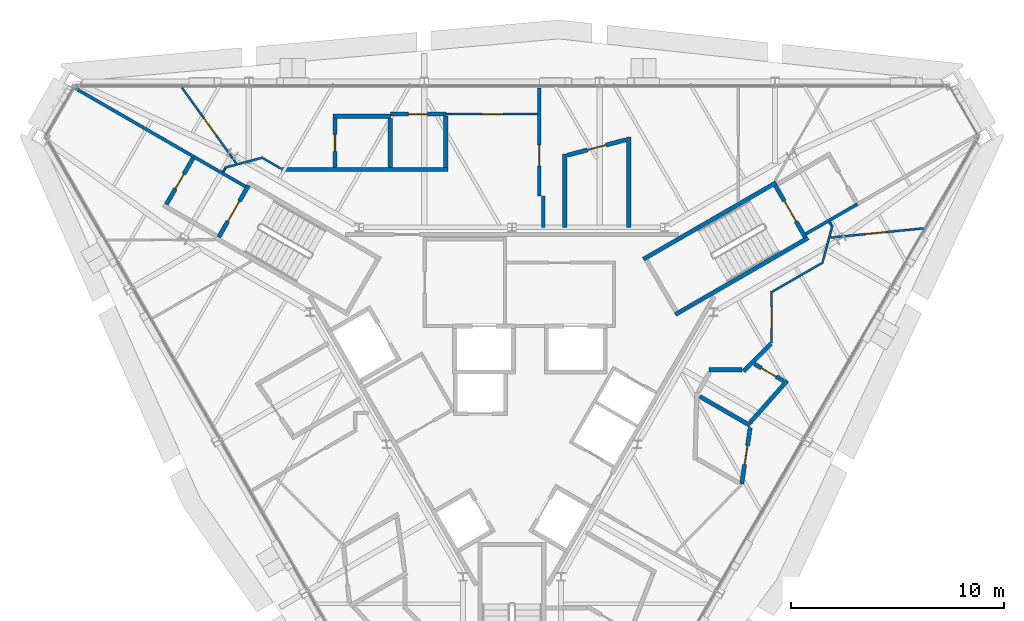
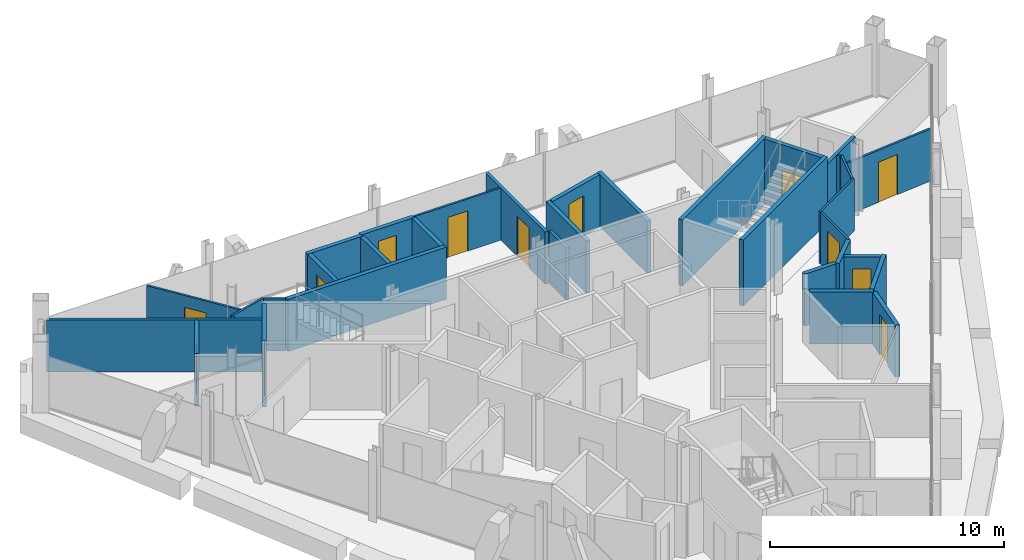
# One storey, part 10 of 13: 35 walls, 13 doors, 13 openings.
"""IFC4 building model written with IfcOpenShell, lengths in metres."""

from ifc_helpers import new_model, si_unit, direction, frame, frame_2d, origin, place, context, subcontext, project, spatial, rectangle, extrude, material, layer, layer_set, type_object, element, fill, save


model = new_model("IFC4")

# Units and contexts
model_context = context("Model", 3, precision=1e-05, world=origin(), true_north=direction((0.0, 1.0)))
body_context = subcontext(model_context, "Body", "Model", "MODEL_VIEW")
ifc_project = project(units=[si_unit("LENGTHUNIT", "METRE"), si_unit("AREAUNIT", "SQUARE_METRE"), si_unit("VOLUMEUNIT", "CUBIC_METRE"), si_unit("PLANEANGLEUNIT", "RADIAN"), si_unit("MASSUNIT", "GRAM", prefix="KILO")], contexts=[model_context])

# Site, building, storey
site_placement = place(None, origin())
site = spatial("IfcSite", under=ifc_project, at=site_placement, CompositionType="ELEMENT")
building_placement = place(site_placement, origin())
building = spatial("IfcBuilding", under=site, at=building_placement, Name="Verrane Prism Tower", CompositionType="ELEMENT")
storey_placement = place(building_placement, frame((0.0, 0.0, 278.800048828125)))
storey = spatial("IfcBuildingStorey", under=building, at=storey_placement, Name="L70", CompositionType="ELEMENT", Elevation=278.800048828125)

# Wall, opening, door
ifc_material_1 = material(Name="Concrete C40/50", Category="concrete")
ifc_layer_1 = layer(ifc_material_1, 0.199951171875)
ifc_layer_set_1 = layer_set([ifc_layer_1], Name="CW-200 stair core wall concrete C40/50 3 h")
wall_type_1 = type_object("IfcWallType", Name="CW-200 stair core wall concrete C40/50 3 h", PredefinedType="PARTITIONING", material=ifc_layer_set_1)
wall_1_placement = place(storey_placement, frame((13.777099609375, 6.337646484375, 0.0), z_axis=(0.0, 0.0, 1.0), x_axis=(-0.500049511043, 0.865996816683, 0.0)))
wall_1 = element("IfcWall", 1, at=wall_1_placement, inside=storey, type_object=wall_type_1, Name="Stair 1 enclosure wall", PredefinedType="PARTITIONING", context=body_context, shape_type="SweptSolid", body=[
    extrude(rectangle(XDim=2.800048828125, YDim=0.199951171875, at=frame_2d((1.39990234375, 0.0))), origin(), (0.0, 0.0, 1.0), 3.449951171875),
])
opening_1_placement = place(wall_1_placement, frame((0.849853515625, 0.0, 0.0)))
opening_1 = element("IfcOpeningElement", 2, at=opening_1_placement, cuts=wall_1, Name="Opening D69500", PredefinedType="OPENING", context=body_context, shape_type="SweptSolid", body=[
    extrude(rectangle(XDim=1.10009765625, YDim=2.10009765625, at=frame_2d((0.550048828125, 1.050048828125))), frame((0.0, 0.10986328125, 0.0), z_axis=(0.0, -1.0, 0.0), x_axis=(1.0, 0.0, 0.0)), (0.0, 0.0, 1.0), 0.219970703125),
])
ifc_material_2 = material(Name="Timber veneered door leaf", Category="wood")
door_type_1 = type_object("IfcDoorType", Name="DR-1100x2100 FD90 single leaf stair", OperationType="NOTDEFINED", PredefinedType="DOOR", material=ifc_material_2)
door_1_placement = place(opening_1_placement, origin())
door_1 = element("IfcDoor", 3, at=door_1_placement, inside=storey, type_object=door_type_1, Name="Stair 1 door", OperationType="SINGLE_SWING_LEFT", OverallHeight=2.10009765625, OverallWidth=1.10009765625, PredefinedType="DOOR", context=body_context, shape_type="SweptSolid", body=[
    extrude(rectangle(XDim=1.10009765625, YDim=2.10009765625, at=frame_2d((0.550048828125, 1.050048828125))), frame((0.0, 0.02490234375, 0.0), z_axis=(0.0, -1.0, 0.0), x_axis=(1.0, 0.0, 0.0)), (0.0, 0.0, 1.0), 0.050048828125),
])
fill(opening_1, door_1)

# Walls
for number, where, z_axis, x_axis, name in (
    (4, (6.17822265625, 5.299072265625, 0.0), (0.0, 0.0, 1.0), (0.866033125095, 0.499986626058, 0.0), "Stair 1 enclosure wall"),
    (5, (7.67822265625, 2.700927734375, 0.0), (0.0, 0.0, 1.0), (0.866018442252, 0.500012057535, 0.0), "Stair 1 enclosure wall"),
):
    element("IfcWall", number, at=place(storey_placement, frame(where, z_axis=z_axis, x_axis=x_axis)), inside=storey, type_object=wall_type_1, Name=name, PredefinedType="PARTITIONING", context=body_context, shape_type="SweptSolid", body=[
        extrude(rectangle(XDim=7.199951171875, YDim=0.199951171875, at=frame_2d((3.60009765625, 0.0))), origin(), (0.0, 0.0, 1.0), 3.449951171875),
    ])

# Wall, opening, door
wall_2_placement = place(storey_placement, frame((-12.376953125, 8.762451171875, 0.0), z_axis=(0.0, 0.0, 1.0), x_axis=(-0.500049511043, -0.865996816683, 0.0)))
wall_2 = element("IfcWall", 6, at=wall_2_placement, inside=storey, type_object=wall_type_1, Name="Stair 2 enclosure wall", PredefinedType="PARTITIONING", context=body_context, shape_type="SweptSolid", body=[
    extrude(rectangle(XDim=2.800048828125, YDim=0.199951171875, at=frame_2d((1.39990234375, 0.0))), origin(), (0.0, 0.0, 1.0), 3.449951171875),
])
opening_2_placement = place(wall_2_placement, frame((0.849853515625, 0.0, 0.0)))
opening_2 = element("IfcOpeningElement", 7, at=opening_2_placement, cuts=wall_2, Name="Opening D69501", PredefinedType="OPENING", context=body_context, shape_type="SweptSolid", body=[
    extrude(rectangle(XDim=1.10009765625, YDim=2.10009765625, at=frame_2d((0.550048828125, 1.050048828125))), frame((0.0, 0.10986328125, 0.0), z_axis=(0.0, -1.0, 0.0), x_axis=(1.0, 0.0, 0.0)), (0.0, 0.0, 1.0), 0.219970703125),
])
door_2_placement = place(opening_2_placement, origin())
door_2 = element("IfcDoor", 8, at=door_2_placement, inside=storey, type_object=door_type_1, Name="Stair 2 door", OperationType="SINGLE_SWING_RIGHT", OverallHeight=2.10009765625, OverallWidth=1.10009765625, PredefinedType="DOOR", context=body_context, shape_type="SweptSolid", body=[
    extrude(rectangle(XDim=1.10009765625, YDim=2.10009765625, at=frame_2d((0.550048828125, 1.050048828125))), frame((0.0, 0.02490234375, 0.0), z_axis=(0.0, -1.0, 0.0), x_axis=(1.0, 0.0, 0.0)), (0.0, 0.0, 1.0), 0.050048828125),
])
fill(opening_2, door_2)

ifc_material_3 = material(Name="Gypsum board partition", Category="other")
ifc_layer_2 = layer(ifc_material_3, 0.10009765625)
ifc_layer_set_2 = layer_set([ifc_layer_2], Name="PW-100 room partition")
wall_type_2 = type_object("IfcWallType", Name="PW-100 room partition", PredefinedType="PARTITIONING", material=ifc_layer_set_2)
wall_3_placement = place(storey_placement, frame((-12.957275390625, 9.811767578125, 0.0), z_axis=(0.0, 0.0, 1.0), x_axis=(-0.58313691272, 0.812373892381, 0.0)))
wall_3 = element("IfcWall", 9, at=wall_3_placement, inside=storey, type_object=wall_type_2, Name="Room partition 006", PredefinedType="PARTITIONING", context=body_context, shape_type="SweptSolid", body=[
    extrude(rectangle(XDim=4.375, YDim=0.10009765625, at=frame_2d((2.1875, 0.0))), origin(), (0.0, 0.0, 1.0), 2.722900390625),
])
opening_3_placement = place(wall_3_placement, frame((1.59033203125, 0.0, 0.0)))
opening_3 = element("IfcOpeningElement", 10, at=opening_3_placement, cuts=wall_3, Name="Opening D69017", PredefinedType="OPENING", context=body_context, shape_type="SweptSolid", body=[
    extrude(rectangle(XDim=1.0, YDim=2.10009765625, at=frame_2d((0.5, 1.050048828125))), frame((0.0, 0.06005859375, 0.0), z_axis=(0.0, -1.0, 0.0), x_axis=(1.0, 0.0, 0.0)), (0.0, 0.0, 1.0), 0.1201171875),
])
ifc_material_4 = material(Name="Timber veneered door leaf", Category="wood")
door_type_2 = type_object("IfcDoorType", Name="DR-1000x2100 single leaf inner", OperationType="NOTDEFINED", PredefinedType="DOOR", material=ifc_material_4)
door_3_placement = place(opening_3_placement, origin())
door_3 = element("IfcDoor", 11, at=door_3_placement, inside=storey, type_object=door_type_2, Name="Living And Dining Room door", OperationType="SINGLE_SWING_RIGHT", OverallHeight=2.10009765625, OverallWidth=1.0, PredefinedType="DOOR", context=body_context, shape_type="SweptSolid", body=[
    extrude(rectangle(XDim=1.0, YDim=2.10009765625, at=frame_2d((0.5, 1.050048828125))), frame((0.0, 0.02490234375, 0.0), z_axis=(0.0, -1.0, 0.0), x_axis=(1.0, 0.0, 0.0)), (0.0, 0.0, 1.0), 0.050048828125),
])
fill(opening_3, door_3)

# Walls
wall_4_placement = place(storey_placement, frame((-13.5654296875, 9.404052734375, 0.0), z_axis=(0.0, 0.0, 1.0), x_axis=(0.500181256421, 0.865920730047, 0.0)))
element("IfcWall", 12, at=wall_4_placement, inside=storey, type_object=wall_type_2, Name="Room partition 008", PredefinedType="PARTITIONING", context=body_context, shape_type="SweptSolid", body=[
    extrude(rectangle(XDim=0.1689453125, YDim=0.10009765625, at=frame_2d((0.08447265625, 0.0))), origin(), (0.0, 0.0, 1.0), 2.722900390625),
])
wall_5_placement = place(storey_placement, frame((-13.494384765625, 9.59814453125, 0.0), z_axis=(0.0, 0.0, 1.0), x_axis=(0.96601104623, 0.258500790254, 0.0)))
element("IfcWall", 13, at=wall_5_placement, inside=storey, type_object=wall_type_2, Name="Room partition 009", PredefinedType="PARTITIONING", context=body_context, shape_type="SweptSolid", body=[
    extrude(rectangle(XDim=1.8671875, YDim=0.10009765625, at=frame_2d((0.93359375, 0.0))), origin(), (0.0, 0.0, 1.0), 2.722900390625),
])
wall_6_placement = place(storey_placement, frame((-11.678466796875, 10.032958984375, 0.0), z_axis=(0.0, 0.0, 1.0), x_axis=(0.866116627388, -0.499841962787, 0.0)))
element("IfcWall", 14, at=wall_6_placement, inside=storey, type_object=wall_type_2, Name="Room partition 013", PredefinedType="PARTITIONING", context=body_context, shape_type="SweptSolid", body=[
    extrude(rectangle(XDim=0.943115234375, YDim=0.10009765625, at=frame_2d((0.4716796875, 0.0))), origin(), (0.0, 0.0, 1.0), 2.722900390625),
])

# Wall, opening, door
wall_7_placement = place(storey_placement, frame((-3.10888671875, 12.118896484375, 0.0), z_axis=(0.0, 0.0, 1.0), x_axis=(1.0, 0.0, 0.0)))
wall_7 = element("IfcWall", 15, at=wall_7_placement, inside=storey, type_object=wall_type_2, Name="Room partition 034", PredefinedType="PARTITIONING", context=body_context, shape_type="SweptSolid", body=[
    extrude(rectangle(XDim=4.31982421875, YDim=0.10009765625, at=frame_2d((2.159912109375, 0.0))), origin(), (0.0, 0.0, 1.0), 2.722900390625),
])
opening_4_placement = place(wall_7_placement, frame((1.699951171875, 0.0, 0.0)))
opening_4 = element("IfcOpeningElement", 16, at=opening_4_placement, cuts=wall_7, Name="Opening D69015", PredefinedType="OPENING", context=body_context, shape_type="SweptSolid", body=[
    extrude(rectangle(XDim=1.0, YDim=2.10009765625, at=frame_2d((0.5, 1.050048828125))), frame((0.0, 0.06005859375, 0.0), z_axis=(0.0, -1.0, 0.0), x_axis=(1.0, 0.0, 0.0)), (0.0, 0.0, 1.0), 0.1201171875),
])
door_4_placement = place(opening_4_placement, origin())
door_4 = element("IfcDoor", 17, at=door_4_placement, inside=storey, type_object=door_type_2, Name="Entrance Foyer door", OperationType="SINGLE_SWING_LEFT", OverallHeight=2.10009765625, OverallWidth=1.0, PredefinedType="DOOR", context=body_context, shape_type="SweptSolid", body=[
    extrude(rectangle(XDim=1.0, YDim=2.10009765625, at=frame_2d((0.5, 1.050048828125))), frame((0.0, 0.02490234375, 0.0), z_axis=(0.0, -1.0, 0.0), x_axis=(1.0, 0.0, 0.0)), (0.0, 0.0, 1.0), 0.050048828125),
])
fill(opening_4, door_4)

wall_8_placement = place(storey_placement, frame((12.198974609375, 3.681884765625, 0.0), z_axis=(0.0, 0.0, 1.0), x_axis=(0.0, -1.0, 0.0)))
wall_8 = element("IfcWall", 18, at=wall_8_placement, inside=storey, type_object=wall_type_2, Name="Room partition 066", PredefinedType="PARTITIONING", context=body_context, shape_type="SweptSolid", body=[
    extrude(rectangle(XDim=2.330810546875, YDim=0.10009765625, at=frame_2d((1.16552734375, 0.0))), origin(), (0.0, 0.0, 1.0), 2.722900390625),
])
opening_5_placement = place(wall_8_placement, frame((0.631103515625, 0.0, 0.0)))
opening_5 = element("IfcOpeningElement", 19, at=opening_5_placement, cuts=wall_8, Name="Opening D69006", PredefinedType="OPENING", context=body_context, shape_type="SweptSolid", body=[
    extrude(rectangle(XDim=1.0, YDim=2.10009765625, at=frame_2d((0.5, 1.050048828125))), frame((0.0, 0.06005859375, 0.0), z_axis=(0.0, -1.0, 0.0), x_axis=(1.0, 0.0, 0.0)), (0.0, 0.0, 1.0), 0.1201171875),
])
door_5_placement = place(opening_5_placement, origin())
door_5 = element("IfcDoor", 20, at=door_5_placement, inside=storey, type_object=door_type_2, Name="Entrance Foyer door", OperationType="SINGLE_SWING_LEFT", OverallHeight=2.10009765625, OverallWidth=1.0, PredefinedType="DOOR", context=body_context, shape_type="SweptSolid", body=[
    extrude(rectangle(XDim=1.0, YDim=2.10009765625, at=frame_2d((0.5, 1.050048828125))), frame((0.0, 0.02490234375, 0.0), z_axis=(0.0, -1.0, 0.0), x_axis=(1.0, 0.0, 0.0)), (0.0, 0.0, 1.0), 0.050048828125),
])
fill(opening_5, door_5)

# Walls
wall_9_placement = place(storey_placement, frame((12.15576171875, 3.72705078125, 0.0), z_axis=(0.0, 0.0, 1.0), x_axis=(0.866012137121, 0.500022977831, 0.0)))
element("IfcWall", 21, at=wall_9_placement, inside=storey, type_object=wall_type_2, Name="Room partition 067", PredefinedType="PARTITIONING", context=body_context, shape_type="SweptSolid", body=[
    extrude(rectangle(XDim=2.859619140625, YDim=0.10009765625, at=frame_2d((1.4296875, 0.0))), origin(), (0.0, 0.0, 1.0), 2.722900390625),
])
wall_10_placement = place(storey_placement, frame((14.607177734375, 5.19970703125, 0.0), z_axis=(0.0, 0.0, 1.0), x_axis=(0.258549793661, 0.965997931777, 0.0)))
element("IfcWall", 22, at=wall_10_placement, inside=storey, type_object=wall_type_2, Name="Room partition 071", PredefinedType="PARTITIONING", context=body_context, shape_type="SweptSolid", body=[
    extrude(rectangle(XDim=1.746826171875, YDim=0.10009765625, at=frame_2d((0.87353515625, 0.0))), origin(), (0.0, 0.0, 1.0), 2.722900390625),
])
wall_11_placement = place(storey_placement, frame((14.926513671875, 7.046875, 0.0), z_axis=(0.0, 0.0, 1.0), x_axis=(0.497687197367, -0.867356589631, 0.0)))
element("IfcWall", 23, at=wall_11_placement, inside=storey, type_object=wall_type_2, Name="Room partition 073", PredefinedType="PARTITIONING", context=body_context, shape_type="SweptSolid", body=[
    extrude(rectangle(XDim=0.169677734375, YDim=0.10009765625, at=frame_2d((0.0849609375, 0.0))), origin(), (0.0, 0.0, 1.0), 2.722900390625),
])

# Wall, opening, door
wall_12_placement = place(storey_placement, frame((14.975830078125, 6.315185546875, 0.0), z_axis=(0.0, 0.0, 1.0), x_axis=(0.995082940066, 0.09904515329, 0.0)))
wall_12 = element("IfcWall", 24, at=wall_12_placement, inside=storey, type_object=wall_type_2, Name="Room partition 074", PredefinedType="PARTITIONING", context=body_context, shape_type="SweptSolid", body=[
    extrude(rectangle(XDim=4.375244140625, YDim=0.10009765625, at=frame_2d((2.1875, 0.0))), origin(), (0.0, 0.0, 1.0), 2.722900390625),
])
opening_6_placement = place(wall_12_placement, frame((1.627685546875, 0.0, 0.0)))
opening_6 = element("IfcOpeningElement", 25, at=opening_6_placement, cuts=wall_12, Name="Opening D69008", PredefinedType="OPENING", context=body_context, shape_type="SweptSolid", body=[
    extrude(rectangle(XDim=1.0, YDim=2.10009765625, at=frame_2d((0.5, 1.050048828125))), frame((0.0, 0.06005859375, 0.0), z_axis=(0.0, -1.0, 0.0), x_axis=(1.0, 0.0, 0.0)), (0.0, 0.0, 1.0), 0.1201171875),
])
door_6_placement = place(opening_6_placement, origin())
door_6 = element("IfcDoor", 26, at=door_6_placement, inside=storey, type_object=door_type_2, Name="Living And Dining Room door", OperationType="SINGLE_SWING_RIGHT", OverallHeight=2.10009765625, OverallWidth=1.0, PredefinedType="DOOR", context=body_context, shape_type="SweptSolid", body=[
    extrude(rectangle(XDim=1.0, YDim=2.10009765625, at=frame_2d((0.5, 1.050048828125))), frame((0.0, 0.02490234375, 0.0), z_axis=(0.0, -1.0, 0.0), x_axis=(1.0, 0.0, 0.0)), (0.0, 0.0, 1.0), 0.050048828125),
])
fill(opening_6, door_6)

# Walls
ifc_material_5 = material(Name="Gypsum board partition", Category="other")
ifc_layer_3 = layer(ifc_material_5, 0.14990234375)
ifc_layer_set_3 = layer_set([ifc_layer_3], Name="PW-150 demising wall 1 h")
wall_type_3 = type_object("IfcWallType", Name="PW-150 demising wall 1 h", PredefinedType="PARTITIONING", material=ifc_layer_set_3)
wall_13_placement = place(storey_placement, frame((-20.505859375, 13.323974609375, 0.0), z_axis=(0.0, 0.0, 1.0), x_axis=(0.866004971522, -0.500035388047, 0.0)))
element("IfcWall", 27, at=wall_13_placement, inside=storey, type_object=wall_type_3, Name="Demising wall 001", PredefinedType="PARTITIONING", context=body_context, shape_type="SweptSolid", body=[
    extrude(rectangle(XDim=6.41552734375, YDim=0.14990234375, at=frame_2d((3.207763671875, 0.0))), origin(), (0.0, 0.0, 1.0), 2.722900390625),
])
wall_14_placement = place(storey_placement, frame((-14.945068359375, 10.114013671875, 0.0), z_axis=(0.0, 0.0, 1.0), x_axis=(0.865969158485, -0.500097407065, 0.0)))
element("IfcWall", 28, at=wall_14_placement, inside=storey, type_object=wall_type_3, Name="Demising wall 007", PredefinedType="PARTITIONING", context=body_context, shape_type="SweptSolid", body=[
    extrude(rectangle(XDim=2.79931640625, YDim=0.14990234375, at=frame_2d((1.399658203125, 0.0))), origin(), (0.0, 0.0, 1.0), 2.722900390625),
])

# Wall, opening, door
wall_15_placement = place(storey_placement, frame((1.285888671875, 13.35107421875, 0.0), z_axis=(0.0, 0.0, 1.0), x_axis=(0.0, -1.0, 0.0)))
wall_15 = element("IfcWall", 29, at=wall_15_placement, inside=storey, type_object=wall_type_3, Name="Demising wall 042", PredefinedType="PARTITIONING", context=body_context, shape_type="SweptSolid", body=[
    extrude(rectangle(XDim=5.08203125, YDim=0.14990234375, at=frame_2d((2.541015625, 0.0))), origin(), (0.0, 0.0, 1.0), 2.722900390625),
])
opening_7_placement = place(wall_15_placement, frame((2.681884765625, 0.0, 0.0)))
opening_7 = element("IfcOpeningElement", 30, at=opening_7_placement, cuts=wall_15, Name="Opening D69011", PredefinedType="OPENING", context=body_context, shape_type="SweptSolid", body=[
    extrude(rectangle(XDim=1.0, YDim=2.10009765625, at=frame_2d((0.5, 1.050048828125))), frame((0.0, 0.0849609375, 0.0), z_axis=(0.0, -1.0, 0.0), x_axis=(1.0, 0.0, 0.0)), (0.0, 0.0, 1.0), 0.169921875),
])
ifc_material_6 = material(Name="Timber veneered door leaf", Category="wood")
door_type_3 = type_object("IfcDoorType", Name="DR-1000x2100 FD20 single leaf inner", OperationType="NOTDEFINED", PredefinedType="DOOR", material=ifc_material_6)
door_7_placement = place(opening_7_placement, origin())
door_7 = element("IfcDoor", 31, at=door_7_placement, inside=storey, type_object=door_type_3, Name="Entrance Foyer door", OperationType="SINGLE_SWING_RIGHT", OverallHeight=2.10009765625, OverallWidth=1.0, PredefinedType="DOOR", context=body_context, shape_type="SweptSolid", body=[
    extrude(rectangle(XDim=1.0, YDim=2.10009765625, at=frame_2d((0.5, 1.050048828125))), frame((0.0, 0.02490234375, 0.0), z_axis=(0.0, -1.0, 0.0), x_axis=(1.0, 0.0, 0.0)), (0.0, 0.0, 1.0), 0.050048828125),
])
fill(opening_7, door_7)

# Walls
wall_16_placement = place(storey_placement, frame((1.468994140625, 6.800048828125, 0.0), z_axis=(0.0, 0.0, 1.0), x_axis=(0.0, 1.0, 0.0)))
element("IfcWall", 32, at=wall_16_placement, inside=storey, type_object=wall_type_3, Name="Demising wall 044", PredefinedType="PARTITIONING", context=body_context, shape_type="SweptSolid", body=[
    extrude(rectangle(XDim=1.468994140625, YDim=0.14990234375, at=frame_2d((0.734375, 0.0))), origin(), (0.0, 0.0, 1.0), 2.722900390625),
])
wall_17_placement = place(storey_placement, frame((13.805908203125, 6.487060546875, 0.0), z_axis=(0.0, 0.0, 1.0), x_axis=(0.866056369097, 0.49994636267, 0.0)))
element("IfcWall", 33, at=wall_17_placement, inside=storey, type_object=wall_type_3, Name="Demising wall 070", PredefinedType="PARTITIONING", context=body_context, shape_type="SweptSolid", body=[
    extrude(rectangle(XDim=2.800048828125, YDim=0.14990234375, at=frame_2d((1.39990234375, 0.0))), origin(), (0.0, 0.0, 1.0), 2.722900390625),
])

# Wall, opening, door
ifc_material_7 = material(Name="Gypsum board partition", Category="other")
ifc_layer_4 = layer(ifc_material_7, 0.199951171875)
ifc_layer_set_4 = layer_set([ifc_layer_4], Name="PW-200 plumbing wall")
wall_type_4 = type_object("IfcWallType", Name="PW-200 plumbing wall", PredefinedType="PARTITIONING", material=ifc_layer_set_4)
wall_18_placement = place(storey_placement, frame((-14.985107421875, 10.044677734375, 0.0), z_axis=(0.0, 0.0, 1.0), x_axis=(-0.499995137693, -0.86602821102, 0.0)))
wall_18 = element("IfcWall", 34, at=wall_18_placement, inside=storey, type_object=wall_type_4, Name="Plumbing wall 004", PredefinedType="PARTITIONING", context=body_context, shape_type="SweptSolid", body=[
    extrude(rectangle(XDim=2.505859375, YDim=0.199951171875, at=frame_2d((1.2529296875, 0.0))), origin(), (0.0, 0.0, 1.0), 2.722900390625),
])
opening_8_placement = place(wall_18_placement, frame((0.85595703125, 0.0, 0.0)))
opening_8 = element("IfcOpeningElement", 35, at=opening_8_placement, cuts=wall_18, Name="Opening D69023", PredefinedType="OPENING", context=body_context, shape_type="SweptSolid", body=[
    extrude(rectangle(XDim=0.800048828125, YDim=2.10009765625, at=frame_2d((0.39990234375, 1.050048828125))), frame((0.0, 0.10986328125, 0.0), z_axis=(0.0, -1.0, 0.0), x_axis=(1.0, 0.0, 0.0)), (0.0, 0.0, 1.0), 0.219970703125),
])
ifc_material_8 = material(Name="Timber veneered door leaf", Category="wood")
door_type_4 = type_object("IfcDoorType", Name="DR-800x2100 single leaf bath", OperationType="NOTDEFINED", PredefinedType="DOOR", material=ifc_material_8)
door_8_placement = place(opening_8_placement, origin())
door_8 = element("IfcDoor", 36, at=door_8_placement, inside=storey, type_object=door_type_4, Name="Master Bathroom door", OperationType="SINGLE_SWING_RIGHT", OverallHeight=2.10009765625, OverallWidth=0.800048828125, PredefinedType="DOOR", context=body_context, shape_type="SweptSolid", body=[
    extrude(rectangle(XDim=0.800048828125, YDim=2.10009765625, at=frame_2d((0.39990234375, 1.050048828125))), frame((0.0, 0.02490234375, 0.0), z_axis=(0.0, -1.0, 0.0), x_axis=(1.0, 0.0, 0.0)), (0.0, 0.0, 1.0), 0.050048828125),
])
fill(opening_8, door_8)

# Wall
wall_19_placement = place(storey_placement, frame((-10.837890625, 9.51904296875, 0.0), z_axis=(0.0, 0.0, 1.0), x_axis=(1.0, 0.0, 0.0)))
element("IfcWall", 37, at=wall_19_placement, inside=storey, type_object=wall_type_4, Name="Plumbing wall 015", PredefinedType="PARTITIONING", context=body_context, shape_type="SweptSolid", body=[
    extrude(rectangle(XDim=7.823974609375, YDim=0.199951171875, at=frame_2d((3.912109375, 0.0))), origin(), (0.0, 0.0, 1.0), 2.722900390625),
])

# Wall, opening, door
wall_20_placement = place(storey_placement, frame((-8.31396484375, 11.9189453125, 0.0), z_axis=(0.0, 0.0, 1.0), x_axis=(0.0, -1.0, 0.0)))
wall_20 = element("IfcWall", 38, at=wall_20_placement, inside=storey, type_object=wall_type_4, Name="Plumbing wall 017", PredefinedType="PARTITIONING", context=body_context, shape_type="SweptSolid", body=[
    extrude(rectangle(XDim=2.300048828125, YDim=0.199951171875, at=frame_2d((1.14990234375, 0.0))), origin(), (0.0, 0.0, 1.0), 2.722900390625),
])
opening_9_placement = place(wall_20_placement, frame((0.75, 0.0, 0.0)))
opening_9 = element("IfcOpeningElement", 39, at=opening_9_placement, cuts=wall_20, Name="Opening D69018", PredefinedType="OPENING", context=body_context, shape_type="SweptSolid", body=[
    extrude(rectangle(XDim=0.800048828125, YDim=2.10009765625, at=frame_2d((0.39990234375, 1.050048828125))), frame((0.0, 0.10986328125, 0.0), z_axis=(0.0, -1.0, 0.0), x_axis=(1.0, 0.0, 0.0)), (0.0, 0.0, 1.0), 0.219970703125),
])
ifc_material_9 = material(Name="Timber veneered door leaf", Category="wood")
door_type_5 = type_object("IfcDoorType", Name="DR-800x2100 single leaf inner", OperationType="NOTDEFINED", PredefinedType="DOOR", material=ifc_material_9)
door_9_placement = place(opening_9_placement, origin())
door_9 = element("IfcDoor", 40, at=door_9_placement, inside=storey, type_object=door_type_5, Name="Bathroom door", OperationType="SINGLE_SWING_LEFT", OverallHeight=2.10009765625, OverallWidth=0.800048828125, PredefinedType="DOOR", context=body_context, shape_type="SweptSolid", body=[
    extrude(rectangle(XDim=0.800048828125, YDim=2.10009765625, at=frame_2d((0.39990234375, 1.050048828125))), frame((0.0, 0.02490234375, 0.0), z_axis=(0.0, -1.0, 0.0), x_axis=(1.0, 0.0, 0.0)), (0.0, 0.0, 1.0), 0.050048828125),
])
fill(opening_9, door_9)

# Walls
wall_21_placement = place(storey_placement, frame((-8.4140625, 12.01904296875, 0.0), z_axis=(0.0, 0.0, 1.0), x_axis=(1.0, 0.0, 0.0)))
element("IfcWall", 41, at=wall_21_placement, inside=storey, type_object=wall_type_4, Name="Plumbing wall 018", PredefinedType="PARTITIONING", context=body_context, shape_type="SweptSolid", body=[
    extrude(rectangle(XDim=2.699951171875, YDim=0.199951171875, at=frame_2d((1.35009765625, 0.0))), origin(), (0.0, 0.0, 1.0), 2.722900390625),
])
wall_22_placement = place(storey_placement, frame((-5.714111328125, 9.618896484375, 0.0), z_axis=(0.0, 0.0, 1.0), x_axis=(0.0, 1.0, 0.0)))
element("IfcWall", 42, at=wall_22_placement, inside=storey, type_object=wall_type_4, Name="Plumbing wall 025", PredefinedType="PARTITIONING", context=body_context, shape_type="SweptSolid", body=[
    extrude(rectangle(XDim=2.300048828125, YDim=0.199951171875, at=frame_2d((1.14990234375, 0.0))), origin(), (0.0, 0.0, 1.0), 2.722900390625),
])

# Wall, opening, door
wall_23_placement = place(storey_placement, frame((-3.10888671875, 12.118896484375, 0.0), z_axis=(0.0, 0.0, 1.0), x_axis=(-1.0, 0.0, 0.0)))
wall_23 = element("IfcWall", 43, at=wall_23_placement, inside=storey, type_object=wall_type_4, Name="Plumbing wall 026", PredefinedType="PARTITIONING", context=body_context, shape_type="SweptSolid", body=[
    extrude(rectangle(XDim=2.605224609375, YDim=0.199951171875, at=frame_2d((1.302734375, 0.0))), origin(), (0.0, 0.0, 1.0), 2.722900390625),
])
opening_10_placement = place(wall_23_placement, frame((0.85498046875, 0.0, 0.0)))
opening_10 = element("IfcOpeningElement", 44, at=opening_10_placement, cuts=wall_23, Name="Opening D69016", PredefinedType="OPENING", context=body_context, shape_type="SweptSolid", body=[
    extrude(rectangle(XDim=0.89990234375, YDim=2.10009765625, at=frame_2d((0.449951171875, 1.050048828125))), frame((0.0, 0.10986328125, 0.0), z_axis=(0.0, -1.0, 0.0), x_axis=(1.0, 0.0, 0.0)), (0.0, 0.0, 1.0), 0.219970703125),
])
ifc_material_10 = material(Name="Timber veneered door leaf", Category="wood")
door_type_6 = type_object("IfcDoorType", Name="DR-900x2100 single leaf inner", OperationType="NOTDEFINED", PredefinedType="DOOR", material=ifc_material_10)
door_10_placement = place(opening_10_placement, origin())
door_10 = element("IfcDoor", 45, at=door_10_placement, inside=storey, type_object=door_type_6, Name="Kitchen door", OperationType="SINGLE_SWING_LEFT", OverallHeight=2.10009765625, OverallWidth=0.89990234375, PredefinedType="DOOR", context=body_context, shape_type="SweptSolid", body=[
    extrude(rectangle(XDim=0.89990234375, YDim=2.10009765625, at=frame_2d((0.449951171875, 1.050048828125))), frame((0.0, 0.02490234375, 0.0), z_axis=(0.0, -1.0, 0.0), x_axis=(1.0, 0.0, 0.0)), (0.0, 0.0, 1.0), 0.050048828125),
])
fill(opening_10, door_10)

# Walls
wall_24_placement = place(storey_placement, frame((-3.114013671875, 9.618896484375, 0.0), z_axis=(0.0, 0.0, 1.0), x_axis=(0.0, 1.0, 0.0)))
element("IfcWall", 46, at=wall_24_placement, inside=storey, type_object=wall_type_4, Name="Plumbing wall 033", PredefinedType="PARTITIONING", context=body_context, shape_type="SweptSolid", body=[
    extrude(rectangle(XDim=2.400146484375, YDim=0.199951171875, at=frame_2d((1.2001953125, 0.0))), origin(), (0.0, 0.0, 1.0), 2.722900390625),
])
wall_25_placement = place(storey_placement, frame((2.486083984375, 6.800048828125, 0.0), z_axis=(0.0, 0.0, 1.0), x_axis=(0.0, 1.0, 0.0)))
element("IfcWall", 47, at=wall_25_placement, inside=storey, type_object=wall_type_4, Name="Plumbing wall 048", PredefinedType="PARTITIONING", context=body_context, shape_type="SweptSolid", body=[
    extrude(rectangle(XDim=3.452880859375, YDim=0.199951171875, at=frame_2d((1.7265625, 0.0))), origin(), (0.0, 0.0, 1.0), 2.722900390625),
])

# Wall, opening, door
wall_26_placement = place(storey_placement, frame((5.3603515625, 10.911865234375, 0.0), z_axis=(0.0, 0.0, 1.0), x_axis=(-0.966866921155, -0.255280936963, 0.0)))
wall_26 = element("IfcWall", 48, at=wall_26_placement, inside=storey, type_object=wall_type_4, Name="Plumbing wall 049", PredefinedType="PARTITIONING", context=body_context, shape_type="SweptSolid", body=[
    extrude(rectangle(XDim=2.852783203125, YDim=0.199951171875, at=frame_2d((1.42626953125, 0.0))), origin(), (0.0, 0.0, 1.0), 2.722900390625),
])
opening_11_placement = place(wall_26_placement, frame((0.972900390625, 0.0, 0.0)))
opening_11 = element("IfcOpeningElement", 49, at=opening_11_placement, cuts=wall_26, Name="Opening D69012", PredefinedType="OPENING", context=body_context, shape_type="SweptSolid", body=[
    extrude(rectangle(XDim=0.89990234375, YDim=2.10009765625, at=frame_2d((0.449951171875, 1.050048828125))), frame((0.0, 0.10986328125, 0.0), z_axis=(0.0, -1.0, 0.0), x_axis=(1.0, 0.0, 0.0)), (0.0, 0.0, 1.0), 0.219970703125),
])
door_11_placement = place(opening_11_placement, origin())
door_11 = element("IfcDoor", 50, at=door_11_placement, inside=storey, type_object=door_type_6, Name="Kitchen door", OperationType="SINGLE_SWING_LEFT", OverallHeight=2.10009765625, OverallWidth=0.89990234375, PredefinedType="DOOR", context=body_context, shape_type="SweptSolid", body=[
    extrude(rectangle(XDim=0.89990234375, YDim=2.10009765625, at=frame_2d((0.449951171875, 1.050048828125))), frame((0.0, 0.02490234375, 0.0), z_axis=(0.0, -1.0, 0.0), x_axis=(1.0, 0.0, 0.0)), (0.0, 0.0, 1.0), 0.050048828125),
])
fill(opening_11, door_11)

# Walls
wall_27_placement = place(storey_placement, frame((5.486083984375, 6.800048828125, 0.0), z_axis=(0.0, 0.0, 1.0), x_axis=(0.0, 1.0, 0.0)))
element("IfcWall", 51, at=wall_27_placement, inside=storey, type_object=wall_type_4, Name="Plumbing wall 053", PredefinedType="PARTITIONING", context=body_context, shape_type="SweptSolid", body=[
    extrude(rectangle(XDim=4.244873046875, YDim=0.199951171875, at=frame_2d((2.12255859375, 0.0))), origin(), (0.0, 0.0, 1.0), 2.722900390625),
])
wall_28_placement = place(storey_placement, frame((8.828125, -1.149169921875, 0.0), z_axis=(0.0, 0.0, 1.0), x_axis=(0.865853899269, -0.50029693695, 0.0)))
element("IfcWall", 52, at=wall_28_placement, inside=storey, type_object=wall_type_4, Name="Plumbing wall 059", PredefinedType="PARTITIONING", context=body_context, shape_type="SweptSolid", body=[
    extrude(rectangle(XDim=2.734130859375, YDim=0.199951171875, at=frame_2d((1.3671875, 0.0))), origin(), (0.0, 0.0, 1.0), 2.722900390625),
])
wall_29_placement = place(storey_placement, frame((9.2529296875, 0.10107421875, 0.0), z_axis=(0.0, 0.0, 1.0), x_axis=(1.0, 0.0, 0.0)))
element("IfcWall", 53, at=wall_29_placement, inside=storey, type_object=wall_type_4, Name="Plumbing wall 060", PredefinedType="PARTITIONING", context=body_context, shape_type="SweptSolid", body=[
    extrude(rectangle(XDim=1.55615234375, YDim=0.199951171875, at=frame_2d((0.778076171875, 0.0))), origin(), (0.0, 0.0, 1.0), 2.722900390625),
])

# Wall, opening, door
wall_30_placement = place(storey_placement, frame((10.79736328125, -5.25634765625, 0.0), z_axis=(0.0, 0.0, 1.0), x_axis=(0.148961207986, 0.988843040384, 0.0)))
wall_30 = element("IfcWall", 54, at=wall_30_placement, inside=storey, type_object=wall_type_4, Name="Plumbing wall 062", PredefinedType="PARTITIONING", context=body_context, shape_type="SweptSolid", body=[
    extrude(rectangle(XDim=2.673095703125, YDim=0.199951171875, at=frame_2d((1.33642578125, 0.0))), origin(), (0.0, 0.0, 1.0), 2.722900390625),
])
opening_12_placement = place(wall_30_placement, frame((0.919921875, 0.0, 0.0)))
opening_12 = element("IfcOpeningElement", 55, at=opening_12_placement, cuts=wall_30, Name="Opening D69007", PredefinedType="OPENING", context=body_context, shape_type="SweptSolid", body=[
    extrude(rectangle(XDim=0.89990234375, YDim=2.10009765625, at=frame_2d((0.449951171875, 1.050048828125))), frame((0.0, 0.10986328125, 0.0), z_axis=(0.0, -1.0, 0.0), x_axis=(1.0, 0.0, 0.0)), (0.0, 0.0, 1.0), 0.219970703125),
])
door_12_placement = place(opening_12_placement, origin())
door_12 = element("IfcDoor", 56, at=door_12_placement, inside=storey, type_object=door_type_6, Name="Kitchen door", OperationType="SINGLE_SWING_LEFT", OverallHeight=2.10009765625, OverallWidth=0.89990234375, PredefinedType="DOOR", context=body_context, shape_type="SweptSolid", body=[
    extrude(rectangle(XDim=0.89990234375, YDim=2.10009765625, at=frame_2d((0.449951171875, 1.050048828125))), frame((0.0, 0.02490234375, 0.0), z_axis=(0.0, -1.0, 0.0), x_axis=(1.0, 0.0, 0.0)), (0.0, 0.0, 1.0), 0.050048828125),
])
fill(opening_12, door_12)

# Walls
wall_31_placement = place(storey_placement, frame((10.878173828125, 0.0302734375, 0.0), z_axis=(0.0, 0.0, 1.0), x_axis=(0.707173379423, 0.707040176677, 0.0)))
element("IfcWall", 57, at=wall_31_placement, inside=storey, type_object=wall_type_4, Name="Plumbing wall 063", PredefinedType="PARTITIONING", context=body_context, shape_type="SweptSolid", body=[
    extrude(rectangle(XDim=1.832763671875, YDim=0.199951171875, at=frame_2d((0.91650390625, 0.0))), origin(), (0.0, 0.0, 1.0), 2.722900390625),
])
wall_32_placement = place(storey_placement, frame((11.1884765625, -2.377197265625, 0.0), z_axis=(0.0, 0.0, 1.0), x_axis=(0.663045631266, 0.748578981043, 0.0)))
element("IfcWall", 58, at=wall_32_placement, inside=storey, type_object=wall_type_4, Name="Plumbing wall 064", PredefinedType="PARTITIONING", context=body_context, shape_type="SweptSolid", body=[
    extrude(rectangle(XDim=2.634521484375, YDim=0.199951171875, at=frame_2d((1.3173828125, 0.0))), origin(), (0.0, 0.0, 1.0), 2.722900390625),
])

# Wall, opening, door
wall_33_placement = place(storey_placement, frame((12.7607421875, -0.41748046875, 0.0), z_axis=(0.0, 0.0, 1.0), x_axis=(-0.866030680601, 0.499990860175, 0.0)))
wall_33 = element("IfcWall", 59, at=wall_33_placement, inside=storey, type_object=wall_type_4, Name="Plumbing wall 065", PredefinedType="PARTITIONING", context=body_context, shape_type="SweptSolid", body=[
    extrude(rectangle(XDim=1.57470703125, YDim=0.199951171875, at=frame_2d((0.787353515625, 0.0))), origin(), (0.0, 0.0, 1.0), 2.722900390625),
])
opening_13_placement = place(wall_33_placement, frame((0.405029296875, 0.0, 0.0)))
opening_13 = element("IfcOpeningElement", 60, at=opening_13_placement, cuts=wall_33, Name="Opening D69009", PredefinedType="OPENING", context=body_context, shape_type="SweptSolid", body=[
    extrude(rectangle(XDim=0.800048828125, YDim=2.10009765625, at=frame_2d((0.39990234375, 1.050048828125))), frame((0.0, 0.10986328125, 0.0), z_axis=(0.0, -1.0, 0.0), x_axis=(1.0, 0.0, 0.0)), (0.0, 0.0, 1.0), 0.219970703125),
])
door_13_placement = place(opening_13_placement, origin())
door_13 = element("IfcDoor", 61, at=door_13_placement, inside=storey, type_object=door_type_5, Name="Bathroom door", OperationType="SINGLE_SWING_RIGHT", OverallHeight=2.10009765625, OverallWidth=0.800048828125, PredefinedType="DOOR", context=body_context, shape_type="SweptSolid", body=[
    extrude(rectangle(XDim=0.800048828125, YDim=2.10009765625, at=frame_2d((0.39990234375, 1.050048828125))), frame((0.0, 0.02490234375, 0.0), z_axis=(0.0, -1.0, 0.0), x_axis=(1.0, 0.0, 0.0)), (0.0, 0.0, 1.0), 0.050048828125),
])
fill(opening_13, door_13)

save(model, "model.ifc")
